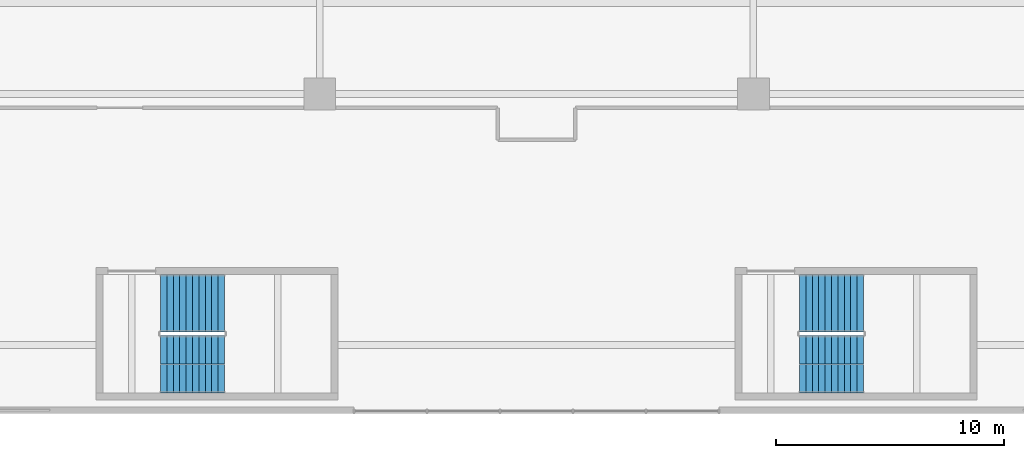
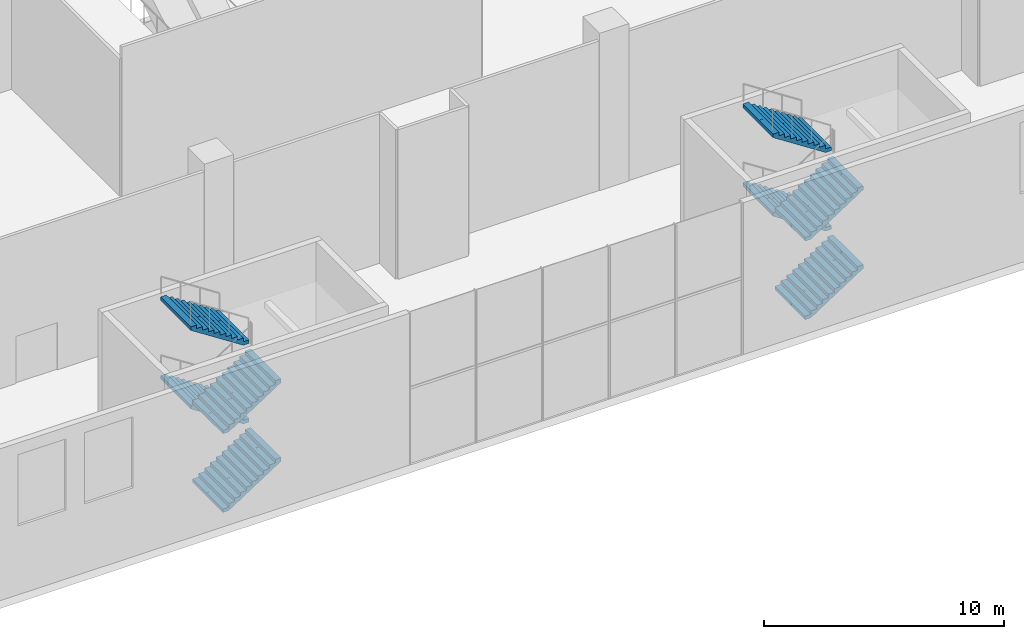
# One storey, part 14 of 27: 8 stair flights, 2 elements without a shape of their own.
"""IFC4 building model written with IfcOpenShell, lengths in metres."""

import ifcopenshell
import ifcopenshell.guid

model = None  # the IFC model being written
_history = None  # IfcOwnerHistory: only IFC2X3 demands one
_inside = {}  # id of a spatial element -> (the spatial element, [elements in it])
_under = {}  # id of a project, library or spatial element -> (it, [spatial elements below it])
_declared = {}  # id of a project -> (the project, [libraries it declares])
_typed = {}  # id of a type object -> (the type object, [elements of that type])
_made_of = {}  # id of a material, layer set ... -> (it, [elements and type objects made of it])


def new_model(schema):
    """Start an empty IFC model of exactly this schema.

    Asked for "IFC4X3", IfcOpenShell would pick the latest addendum, in which some entities
    have other attributes; the version numbers below select the first issue.
    IFC2X3 requires an IfcOwnerHistory on every rooted entity: one is made here for all.
    """
    global model, _history
    if schema == "IFC4X3":
        model = ifcopenshell.file(schema_version=(4, 3, 0, 0))
    else:
        model = ifcopenshell.file(schema=schema)
    _inside.clear()
    _under.clear()
    _declared.clear()
    _typed.clear()
    _made_of.clear()
    _history = None
    if model.schema == "IFC2X3":
        org = make("IfcOrganization", Name="unknown")
        user = make(
            "IfcPersonAndOrganization",
            ThePerson=make("IfcPerson", FamilyName="unknown"),
            TheOrganization=org,
        )
        app = make(
            "IfcApplication",
            ApplicationDeveloper=org,
            Version="unknown",
            ApplicationFullName="unknown",
            ApplicationIdentifier="unknown",
        )
        _history = make(
            "IfcOwnerHistory",
            OwningUser=user,
            OwningApplication=app,
            ChangeAction="ADDED",
            CreationDate=0,
        )
    return model


def make(cls, **values):
    """One entity of the class cls with the attributes given. An attribute that is None is left unset."""
    return model.create_entity(
        cls, **{name: value for name, value in values.items() if value is not None}
    )


def rooted(cls, **values):
    """An entity with a GlobalId (a new one), such as an element, a storey or a relation."""
    return make(cls, GlobalId=ifcopenshell.guid.new(), OwnerHistory=_history, **values)


def si_unit(unit_type, name, prefix=None):
    """IfcSIUnit, for example si_unit("LENGTHUNIT", "METRE", prefix="MILLI")."""
    return make("IfcSIUnit", UnitType=unit_type, Prefix=prefix, Name=name)


def assignment(units):
    """IfcUnitAssignment: the units of a project."""
    return None if units is None else make("IfcUnitAssignment", Units=units)


def point(xyz):
    """IfcCartesianPoint."""
    return None if xyz is None else make("IfcCartesianPoint", Coordinates=xyz)


def direction(xyz):
    """IfcDirection."""
    return None if xyz is None else make("IfcDirection", DirectionRatios=xyz)


def frame(location, z_axis=None, x_axis=None):
    """IfcAxis2Placement3D, a coordinate frame: its origin and axes. An axis left out is left unset."""
    return make(
        "IfcAxis2Placement3D",
        Location=point(location),
        Axis=direction(z_axis),
        RefDirection=direction(x_axis),
    )


def origin():
    """The frame at (0, 0, 0) with its axes left unset."""
    return frame((0.0, 0.0, 0.0))


def place(relative_to, where):
    """IfcLocalPlacement: puts the frame where relative to a parent placement (None: the world)."""
    return make(
        "IfcLocalPlacement", PlacementRelTo=relative_to, RelativePlacement=where
    )


def context(
    kind, dimensions, precision=None, world=None, true_north=None, identifier=None
):
    """IfcGeometricRepresentationContext, for example the 3D "Model" context."""
    return make(
        "IfcGeometricRepresentationContext",
        ContextIdentifier=identifier,
        ContextType=kind,
        CoordinateSpaceDimension=dimensions,
        Precision=precision,
        WorldCoordinateSystem=world,
        TrueNorth=true_north,
    )


def subcontext(parent, identifier, kind, view, scale=None):
    """IfcGeometricRepresentationSubContext, for example "Body" below "Model"."""
    return make(
        "IfcGeometricRepresentationSubContext",
        ContextIdentifier=identifier,
        ContextType=kind,
        ParentContext=parent,
        TargetScale=scale,
        TargetView=view,
    )


def project(units=None, contexts=None):
    """IfcProject with its units and contexts."""
    return rooted(
        "IfcProject",
        Name="project",
        RepresentationContexts=contexts,
        UnitsInContext=assignment(units),
    )


def spatial(cls, under=None, at=None, **own):
    """A site, building, storey or space (cls), placed at a placement, below another one or the project."""
    s = rooted(cls, ObjectPlacement=at, **own)
    if under is not None:
        _under.setdefault(under.id(), (under, []))[1].append(s)
    return s


def polyline(points):
    """IfcPolyline through the points."""
    return make("IfcPolyline", Points=[point(p) for p in points])


def outline(outer, holes=None, kind="AREA"):
    """IfcArbitraryClosedProfileDef: a profile drawn as a closed curve; with holes, ...WithVoids."""
    if holes is None:
        return make("IfcArbitraryClosedProfileDef", ProfileType=kind, OuterCurve=outer)
    return make(
        "IfcArbitraryProfileDefWithVoids",
        ProfileType=kind,
        OuterCurve=outer,
        InnerCurves=holes,
    )


def extrude(swept, where, along, depth):
    """IfcExtrudedAreaSolid: the profile swept, set in the frame where, extruded along a direction by depth."""
    return make(
        "IfcExtrudedAreaSolid",
        SweptArea=swept,
        Position=where,
        ExtrudedDirection=direction(along),
        Depth=depth,
    )


def shape(context_of_items, identifier, shape_type, items):
    """IfcShapeRepresentation: the items that make up one representation, for example the "Body"."""
    return make(
        "IfcShapeRepresentation",
        ContextOfItems=context_of_items,
        RepresentationIdentifier=identifier,
        RepresentationType=shape_type,
        Items=items,
    )


def material(Name=None, Category=None):
    """IfcMaterial."""
    return make("IfcMaterial", Name=Name, Category=Category)


def made_of(thing, what):
    """Note that an element or type object is made of a material, layer set ...; save() writes the relation."""
    if what is not None:
        _made_of.setdefault(what.id(), (what, []))[1].append(thing)
    return thing


def type_object(cls, material=None, **own):
    """A type object (cls), such as IfcWallType, which elements share."""
    return made_of(rooted(cls, **own), material)


def element(
    cls,
    number,
    at=None,
    inside=None,
    cuts=None,
    type_object=None,
    material=None,
    context=None,
    identifier="Body",
    shape_type=None,
    held_by="IfcProductDefinitionShape",
    body=None,
    shapes=None,
    **own,
):
    """One element of the class cls, such as IfcWall. Its Tag is "e" and its number.

    at: its placement. inside: the storey or other place that contains it. cuts: it is an
    opening in that element (IfcRelVoidsElement). A single representation is given by context,
    identifier, shape_type and body (its items); several are given by shapes. held_by: the class
    of the entity that holds the representations. save() writes the other relations.
    """
    e = rooted(cls, Tag="e%d" % number, ObjectPlacement=at, **own)
    if body is not None:
        shapes = [shape(context, identifier, shape_type, body)]
    if shapes is not None:
        e.Representation = make(held_by, Representations=shapes)
    if inside is not None:
        _inside.setdefault(inside.id(), (inside, []))[1].append(e)
    if cuts is not None:
        rooted(
            "IfcRelVoidsElement", RelatingBuildingElement=cuts, RelatedOpeningElement=e
        )
    if type_object is not None:
        _typed.setdefault(type_object.id(), (type_object, []))[1].append(e)
    return made_of(e, material)


def aggregate(whole, parts):
    """IfcRelAggregates: a whole, such as a stair, and the parts it consists of."""
    return rooted("IfcRelAggregates", RelatingObject=whole, RelatedObjects=parts)


def save(model, path):
    """Write the relations noted so far, then the file.

    IfcRelAggregates (storeys below a building ...), IfcRelContainedInSpatialStructure (elements
    in a storey), IfcRelDefinesByType, IfcRelAssociatesMaterial and IfcRelDeclares: one each for
    every whole, place, type object, material and project.
    """
    for whole, parts in _under.values():
        aggregate(whole, parts)
    for where, things in _inside.values():
        rooted(
            "IfcRelContainedInSpatialStructure",
            RelatedElements=things,
            RelatingStructure=where,
        )
    for kind, things in _typed.values():
        rooted("IfcRelDefinesByType", RelatedObjects=things, RelatingType=kind)
    for what, things in _made_of.values():
        rooted("IfcRelAssociatesMaterial", RelatedObjects=things, RelatingMaterial=what)
    for by, libraries in _declared.values():
        rooted("IfcRelDeclares", RelatingContext=by, RelatedDefinitions=libraries)
    model.write(path)


model = new_model("IFC4")

# Units and contexts
model_context = context("Model", 3, precision=1e-05, world=origin(), true_north=direction((0.0, 1.0)))
body_context = subcontext(model_context, "Body", "Model", "MODEL_VIEW")
ifc_project = project(units=[si_unit("LENGTHUNIT", "METRE"), si_unit("AREAUNIT", "SQUARE_METRE"), si_unit("VOLUMEUNIT", "CUBIC_METRE"), si_unit("PLANEANGLEUNIT", "RADIAN"), si_unit("MASSUNIT", "GRAM", prefix="KILO")], contexts=[model_context])

# Site, building, storey
site_placement = place(None, origin())
site = spatial("IfcSite", under=ifc_project, at=site_placement, CompositionType="ELEMENT")
building_placement = place(site_placement, origin())
building = spatial("IfcBuilding", under=site, at=building_placement, Name="Tel Ilan Convention Tower", CompositionType="ELEMENT")
storey_placement = place(building_placement, frame((0.0, 0.0, 18.0)))
storey = spatial("IfcBuildingStorey", under=building, at=storey_placement, Name="L02", CompositionType="ELEMENT", Elevation=18.0)

# Stair, stair flights
ifc_material_1 = material(Name="Concrete C40/50", Category="concrete")
stair_type = type_object("IfcStairType", Name="Pressurised Exit Stair 44 risers 182 mm", PredefinedType="HALF_TURN_STAIR", material=ifc_material_1)
stair_1_placement = place(storey_placement, origin())
stair_1 = element("IfcStair", 1, at=stair_1_placement, inside=storey, type_object=stair_type, Name="L02 Podium Exit Stair P2", PredefinedType="HALF_TURN_STAIR")
ifc_material_2 = material(Name="Precast Concrete C40/50", Category="concrete")
stair_flight_type = type_object("IfcStairFlightType", Name="Concrete Stair Flight 2525 mm 44 risers 182 mm", PredefinedType="STRAIGHT", material=ifc_material_2)
stair_flight_1_placement = place(storey_placement, frame((-16.47509765625, -79.83740234375, 0.0), z_axis=(0.0, 0.0, 1.0), x_axis=(1.0, 0.0, 0.0)))
stair_flight_1 = element("IfcStairFlight", 2, at=stair_flight_1_placement, type_object=stair_flight_type, Name="P2 flight 1", NumberOfRisers=11, NumberOfTreads=10, PredefinedType="STRAIGHT", RiserHeight=0.181818182, TreadLength=0.28, context=body_context, shape_type="SweptSolid", body=[
    extrude(outline(polyline([(0.0, 0.0), (0.0, 0.181884765625), (0.280029296875, 0.181884765625), (0.280029296875, 0.363525390625), (0.56005859375, 0.363525390625), (0.56005859375, 0.54541015625), (0.840087890625, 0.54541015625), (0.840087890625, 0.727294921875), (1.1201171875, 0.727294921875), (1.1201171875, 0.9091796875), (1.39990234375, 0.9091796875), (1.39990234375, 1.0908203125), (1.679931640625, 1.0908203125), (1.679931640625, 1.272705078125), (1.9599609375, 1.272705078125), (1.9599609375, 1.45458984375), (2.239990234375, 1.45458984375), (2.239990234375, 1.636474609375), (2.52001953125, 1.636474609375), (2.52001953125, 1.818115234375), (2.800048828125, 1.818115234375), (2.800048828125, 2.0), (2.800048828125, 1.639404296875), (0.275146484375, 0.0), (0.0, 0.0)])), frame((0.0, -0.100341796875, 0.0), z_axis=(0.0, -1.0, 0.0), x_axis=(1.0, 0.0, 0.0)), (0.0, 0.0, 1.0), 1.162109375),
    extrude(outline(polyline([(0.0, 0.0), (0.0, 0.181884765625), (0.280029296875, 0.181884765625), (0.280029296875, 0.363525390625), (0.56005859375, 0.363525390625), (0.56005859375, 0.54541015625), (0.840087890625, 0.54541015625), (0.840087890625, 0.727294921875), (1.1201171875, 0.727294921875), (1.1201171875, 0.9091796875), (1.39990234375, 0.9091796875), (1.39990234375, 1.0908203125), (1.679931640625, 1.0908203125), (1.679931640625, 1.272705078125), (1.9599609375, 1.272705078125), (1.9599609375, 1.45458984375), (2.239990234375, 1.45458984375), (2.239990234375, 1.636474609375), (2.52001953125, 1.636474609375), (2.52001953125, 1.818115234375), (2.800048828125, 1.818115234375), (2.800048828125, 2.0), (2.800048828125, 1.639404296875), (0.275146484375, 0.0), (0.0, 0.0)])), frame((0.0, -0.000244140625, 0.0), z_axis=(0.0, -1.0, 0.0), x_axis=(1.0, 0.0, 0.0)), (0.0, 0.0, 1.0), 0.099609375),
    extrude(outline(polyline([(0.0, 0.0), (0.0, 0.181884765625), (0.280029296875, 0.181884765625), (0.280029296875, 0.363525390625), (0.56005859375, 0.363525390625), (0.56005859375, 0.54541015625), (0.840087890625, 0.54541015625), (0.840087890625, 0.727294921875), (1.1201171875, 0.727294921875), (1.1201171875, 0.9091796875), (1.39990234375, 0.9091796875), (1.39990234375, 1.0908203125), (1.679931640625, 1.0908203125), (1.679931640625, 1.272705078125), (1.9599609375, 1.272705078125), (1.9599609375, 1.45458984375), (2.239990234375, 1.45458984375), (2.239990234375, 1.636474609375), (2.52001953125, 1.636474609375), (2.52001953125, 1.818115234375), (2.800048828125, 1.818115234375), (2.800048828125, 2.0), (2.800048828125, 1.639404296875), (0.275146484375, 0.0), (0.0, 0.0)])), frame((0.0, 0.099853515625, 0.0), z_axis=(0.0, -1.0, 0.0), x_axis=(1.0, 0.0, 0.0)), (0.0, 0.0, 1.0), 0.099609375),
    extrude(outline(polyline([(0.0, 0.0), (0.0, 0.181884765625), (0.280029296875, 0.181884765625), (0.280029296875, 0.363525390625), (0.56005859375, 0.363525390625), (0.56005859375, 0.54541015625), (0.840087890625, 0.54541015625), (0.840087890625, 0.727294921875), (1.1201171875, 0.727294921875), (1.1201171875, 0.9091796875), (1.39990234375, 0.9091796875), (1.39990234375, 1.0908203125), (1.679931640625, 1.0908203125), (1.679931640625, 1.272705078125), (1.9599609375, 1.272705078125), (1.9599609375, 1.45458984375), (2.239990234375, 1.45458984375), (2.239990234375, 1.636474609375), (2.52001953125, 1.636474609375), (2.52001953125, 1.818115234375), (2.800048828125, 1.818115234375), (2.800048828125, 2.0), (2.800048828125, 1.639404296875), (0.275146484375, 0.0), (0.0, 0.0)])), frame((0.0, 1.262451171875, 0.0), z_axis=(0.0, -1.0, 0.0), x_axis=(1.0, 0.0, 0.0)), (0.0, 0.0, 1.0), 1.162109375),
])
stair_flight_2_placement = place(storey_placement, frame((-13.675048828125, -77.16259765625, 2.0), z_axis=(0.0, 0.0, 1.0), x_axis=(-1.0, 0.0, 0.0)))
stair_flight_2 = element("IfcStairFlight", 3, at=stair_flight_2_placement, type_object=stair_flight_type, Name="P2 flight 2", NumberOfRisers=11, NumberOfTreads=10, PredefinedType="STRAIGHT", RiserHeight=0.181818182, TreadLength=0.28, context=body_context, shape_type="SweptSolid", body=[
    extrude(outline(polyline([(0.0, 0.0), (0.0, 0.181884765625), (0.280029296875, 0.181884765625), (0.280029296875, 0.363525390625), (0.56005859375, 0.363525390625), (0.56005859375, 0.54541015625), (0.840087890625, 0.54541015625), (0.840087890625, 0.727294921875), (1.1201171875, 0.727294921875), (1.1201171875, 0.9091796875), (1.39990234375, 0.9091796875), (1.39990234375, 1.0908203125), (1.679931640625, 1.0908203125), (1.679931640625, 1.272705078125), (1.9599609375, 1.272705078125), (1.9599609375, 1.45458984375), (2.239990234375, 1.45458984375), (2.239990234375, 1.636474609375), (2.52001953125, 1.636474609375), (2.52001953125, 1.818115234375), (2.800048828125, 1.818115234375), (2.800048828125, 2.0), (2.800048828125, 1.639404296875), (0.275146484375, 0.0), (0.0, 0.0)])), frame((0.0, -0.100341796875, 0.0), z_axis=(0.0, -1.0, 0.0), x_axis=(1.0, 0.0, 0.0)), (0.0, 0.0, 1.0), 1.162109375),
    extrude(outline(polyline([(0.0, 0.0), (0.0, 0.181884765625), (0.280029296875, 0.181884765625), (0.280029296875, 0.363525390625), (0.56005859375, 0.363525390625), (0.56005859375, 0.54541015625), (0.840087890625, 0.54541015625), (0.840087890625, 0.727294921875), (1.1201171875, 0.727294921875), (1.1201171875, 0.9091796875), (1.39990234375, 0.9091796875), (1.39990234375, 1.0908203125), (1.679931640625, 1.0908203125), (1.679931640625, 1.272705078125), (1.9599609375, 1.272705078125), (1.9599609375, 1.45458984375), (2.239990234375, 1.45458984375), (2.239990234375, 1.636474609375), (2.52001953125, 1.636474609375), (2.52001953125, 1.818115234375), (2.800048828125, 1.818115234375), (2.800048828125, 2.0), (2.800048828125, 1.639404296875), (0.275146484375, 0.0), (0.0, 0.0)])), frame((0.0, -0.000244140625, 0.0), z_axis=(0.0, -1.0, 0.0), x_axis=(1.0, 0.0, 0.0)), (0.0, 0.0, 1.0), 0.099609375),
    extrude(outline(polyline([(0.0, 0.0), (0.0, 0.181884765625), (0.280029296875, 0.181884765625), (0.280029296875, 0.363525390625), (0.56005859375, 0.363525390625), (0.56005859375, 0.54541015625), (0.840087890625, 0.54541015625), (0.840087890625, 0.727294921875), (1.1201171875, 0.727294921875), (1.1201171875, 0.9091796875), (1.39990234375, 0.9091796875), (1.39990234375, 1.0908203125), (1.679931640625, 1.0908203125), (1.679931640625, 1.272705078125), (1.9599609375, 1.272705078125), (1.9599609375, 1.45458984375), (2.239990234375, 1.45458984375), (2.239990234375, 1.636474609375), (2.52001953125, 1.636474609375), (2.52001953125, 1.818115234375), (2.800048828125, 1.818115234375), (2.800048828125, 2.0), (2.800048828125, 1.639404296875), (0.275146484375, 0.0), (0.0, 0.0)])), frame((0.0, 0.099853515625, 0.0), z_axis=(0.0, -1.0, 0.0), x_axis=(1.0, 0.0, 0.0)), (0.0, 0.0, 1.0), 0.099609375),
    extrude(outline(polyline([(0.0, 0.0), (0.0, 0.181884765625), (0.280029296875, 0.181884765625), (0.280029296875, 0.363525390625), (0.56005859375, 0.363525390625), (0.56005859375, 0.54541015625), (0.840087890625, 0.54541015625), (0.840087890625, 0.727294921875), (1.1201171875, 0.727294921875), (1.1201171875, 0.9091796875), (1.39990234375, 0.9091796875), (1.39990234375, 1.0908203125), (1.679931640625, 1.0908203125), (1.679931640625, 1.272705078125), (1.9599609375, 1.272705078125), (1.9599609375, 1.45458984375), (2.239990234375, 1.45458984375), (2.239990234375, 1.636474609375), (2.52001953125, 1.636474609375), (2.52001953125, 1.818115234375), (2.800048828125, 1.818115234375), (2.800048828125, 2.0), (2.800048828125, 1.639404296875), (0.275146484375, 0.0), (0.0, 0.0)])), frame((0.0, 1.262451171875, 0.0), z_axis=(0.0, -1.0, 0.0), x_axis=(1.0, 0.0, 0.0)), (0.0, 0.0, 1.0), 1.162109375),
])
stair_flight_3_placement = place(storey_placement, frame((-16.47509765625, -79.83740234375, 4.0), z_axis=(0.0, 0.0, 1.0), x_axis=(1.0, 0.0, 0.0)))
stair_flight_3 = element("IfcStairFlight", 4, at=stair_flight_3_placement, type_object=stair_flight_type, Name="P2 flight 3", NumberOfRisers=11, NumberOfTreads=10, PredefinedType="STRAIGHT", RiserHeight=0.181818182, TreadLength=0.28, context=body_context, shape_type="SweptSolid", body=[
    extrude(outline(polyline([(0.0, 0.0), (0.0, 0.181884765625), (0.280029296875, 0.181884765625), (0.280029296875, 0.363525390625), (0.56005859375, 0.363525390625), (0.56005859375, 0.54541015625), (0.840087890625, 0.54541015625), (0.840087890625, 0.727294921875), (1.1201171875, 0.727294921875), (1.1201171875, 0.9091796875), (1.39990234375, 0.9091796875), (1.39990234375, 1.0908203125), (1.679931640625, 1.0908203125), (1.679931640625, 1.272705078125), (1.9599609375, 1.272705078125), (1.9599609375, 1.45458984375), (2.239990234375, 1.45458984375), (2.239990234375, 1.636474609375), (2.52001953125, 1.636474609375), (2.52001953125, 1.818115234375), (2.800048828125, 1.818115234375), (2.800048828125, 2.0), (2.800048828125, 1.639404296875), (0.275146484375, 0.0), (0.0, 0.0)])), frame((0.0, -0.100341796875, 0.0), z_axis=(0.0, -1.0, 0.0), x_axis=(1.0, 0.0, 0.0)), (0.0, 0.0, 1.0), 1.162109375),
    extrude(outline(polyline([(0.0, 0.0), (0.0, 0.181884765625), (0.280029296875, 0.181884765625), (0.280029296875, 0.363525390625), (0.56005859375, 0.363525390625), (0.56005859375, 0.54541015625), (0.840087890625, 0.54541015625), (0.840087890625, 0.727294921875), (1.1201171875, 0.727294921875), (1.1201171875, 0.9091796875), (1.39990234375, 0.9091796875), (1.39990234375, 1.0908203125), (1.679931640625, 1.0908203125), (1.679931640625, 1.272705078125), (1.9599609375, 1.272705078125), (1.9599609375, 1.45458984375), (2.239990234375, 1.45458984375), (2.239990234375, 1.636474609375), (2.52001953125, 1.636474609375), (2.52001953125, 1.818115234375), (2.800048828125, 1.818115234375), (2.800048828125, 2.0), (2.800048828125, 1.639404296875), (0.275146484375, 0.0), (0.0, 0.0)])), frame((0.0, -0.000244140625, 0.0), z_axis=(0.0, -1.0, 0.0), x_axis=(1.0, 0.0, 0.0)), (0.0, 0.0, 1.0), 0.099609375),
    extrude(outline(polyline([(0.0, 0.0), (0.0, 0.181884765625), (0.280029296875, 0.181884765625), (0.280029296875, 0.363525390625), (0.56005859375, 0.363525390625), (0.56005859375, 0.54541015625), (0.840087890625, 0.54541015625), (0.840087890625, 0.727294921875), (1.1201171875, 0.727294921875), (1.1201171875, 0.9091796875), (1.39990234375, 0.9091796875), (1.39990234375, 1.0908203125), (1.679931640625, 1.0908203125), (1.679931640625, 1.272705078125), (1.9599609375, 1.272705078125), (1.9599609375, 1.45458984375), (2.239990234375, 1.45458984375), (2.239990234375, 1.636474609375), (2.52001953125, 1.636474609375), (2.52001953125, 1.818115234375), (2.800048828125, 1.818115234375), (2.800048828125, 2.0), (2.800048828125, 1.639404296875), (0.275146484375, 0.0), (0.0, 0.0)])), frame((0.0, 0.099853515625, 0.0), z_axis=(0.0, -1.0, 0.0), x_axis=(1.0, 0.0, 0.0)), (0.0, 0.0, 1.0), 0.099609375),
    extrude(outline(polyline([(0.0, 0.0), (0.0, 0.181884765625), (0.280029296875, 0.181884765625), (0.280029296875, 0.363525390625), (0.56005859375, 0.363525390625), (0.56005859375, 0.54541015625), (0.840087890625, 0.54541015625), (0.840087890625, 0.727294921875), (1.1201171875, 0.727294921875), (1.1201171875, 0.9091796875), (1.39990234375, 0.9091796875), (1.39990234375, 1.0908203125), (1.679931640625, 1.0908203125), (1.679931640625, 1.272705078125), (1.9599609375, 1.272705078125), (1.9599609375, 1.45458984375), (2.239990234375, 1.45458984375), (2.239990234375, 1.636474609375), (2.52001953125, 1.636474609375), (2.52001953125, 1.818115234375), (2.800048828125, 1.818115234375), (2.800048828125, 2.0), (2.800048828125, 1.639404296875), (0.275146484375, 0.0), (0.0, 0.0)])), frame((0.0, 1.262451171875, 0.0), z_axis=(0.0, -1.0, 0.0), x_axis=(1.0, 0.0, 0.0)), (0.0, 0.0, 1.0), 1.162109375),
])
stair_flight_4_placement = place(storey_placement, frame((-13.675048828125, -77.16259765625, 6.0), z_axis=(0.0, 0.0, 1.0), x_axis=(-1.0, 0.0, 0.0)))
stair_flight_4 = element("IfcStairFlight", 5, at=stair_flight_4_placement, type_object=stair_flight_type, Name="P2 flight 4", NumberOfRisers=11, NumberOfTreads=10, PredefinedType="STRAIGHT", RiserHeight=0.181818182, TreadLength=0.28, context=body_context, shape_type="SweptSolid", body=[
    extrude(outline(polyline([(0.0, 0.0), (0.0, 0.181884765625), (0.280029296875, 0.181884765625), (0.280029296875, 0.363525390625), (0.56005859375, 0.363525390625), (0.56005859375, 0.54541015625), (0.840087890625, 0.54541015625), (0.840087890625, 0.727294921875), (1.1201171875, 0.727294921875), (1.1201171875, 0.9091796875), (1.39990234375, 0.9091796875), (1.39990234375, 1.0908203125), (1.679931640625, 1.0908203125), (1.679931640625, 1.272705078125), (1.9599609375, 1.272705078125), (1.9599609375, 1.45458984375), (2.239990234375, 1.45458984375), (2.239990234375, 1.636474609375), (2.52001953125, 1.636474609375), (2.52001953125, 1.818115234375), (2.800048828125, 1.818115234375), (2.800048828125, 2.0), (2.800048828125, 1.639404296875), (0.275146484375, 0.0), (0.0, 0.0)])), frame((0.0, -0.100341796875, 0.0), z_axis=(0.0, -1.0, 0.0), x_axis=(1.0, 0.0, 0.0)), (0.0, 0.0, 1.0), 1.162109375),
    extrude(outline(polyline([(0.0, 0.0), (0.0, 0.181884765625), (0.280029296875, 0.181884765625), (0.280029296875, 0.363525390625), (0.56005859375, 0.363525390625), (0.56005859375, 0.54541015625), (0.840087890625, 0.54541015625), (0.840087890625, 0.727294921875), (1.1201171875, 0.727294921875), (1.1201171875, 0.9091796875), (1.39990234375, 0.9091796875), (1.39990234375, 1.0908203125), (1.679931640625, 1.0908203125), (1.679931640625, 1.272705078125), (1.9599609375, 1.272705078125), (1.9599609375, 1.45458984375), (2.239990234375, 1.45458984375), (2.239990234375, 1.636474609375), (2.52001953125, 1.636474609375), (2.52001953125, 1.818115234375), (2.800048828125, 1.818115234375), (2.800048828125, 2.0), (2.800048828125, 1.639404296875), (0.275146484375, 0.0), (0.0, 0.0)])), frame((0.0, -0.000244140625, 0.0), z_axis=(0.0, -1.0, 0.0), x_axis=(1.0, 0.0, 0.0)), (0.0, 0.0, 1.0), 0.099609375),
    extrude(outline(polyline([(0.0, 0.0), (0.0, 0.181884765625), (0.280029296875, 0.181884765625), (0.280029296875, 0.363525390625), (0.56005859375, 0.363525390625), (0.56005859375, 0.54541015625), (0.840087890625, 0.54541015625), (0.840087890625, 0.727294921875), (1.1201171875, 0.727294921875), (1.1201171875, 0.9091796875), (1.39990234375, 0.9091796875), (1.39990234375, 1.0908203125), (1.679931640625, 1.0908203125), (1.679931640625, 1.272705078125), (1.9599609375, 1.272705078125), (1.9599609375, 1.45458984375), (2.239990234375, 1.45458984375), (2.239990234375, 1.636474609375), (2.52001953125, 1.636474609375), (2.52001953125, 1.818115234375), (2.800048828125, 1.818115234375), (2.800048828125, 2.0), (2.800048828125, 1.639404296875), (0.275146484375, 0.0), (0.0, 0.0)])), frame((0.0, 0.099853515625, 0.0), z_axis=(0.0, -1.0, 0.0), x_axis=(1.0, 0.0, 0.0)), (0.0, 0.0, 1.0), 0.099609375),
    extrude(outline(polyline([(0.0, 0.0), (0.0, 0.181884765625), (0.280029296875, 0.181884765625), (0.280029296875, 0.363525390625), (0.56005859375, 0.363525390625), (0.56005859375, 0.54541015625), (0.840087890625, 0.54541015625), (0.840087890625, 0.727294921875), (1.1201171875, 0.727294921875), (1.1201171875, 0.9091796875), (1.39990234375, 0.9091796875), (1.39990234375, 1.0908203125), (1.679931640625, 1.0908203125), (1.679931640625, 1.272705078125), (1.9599609375, 1.272705078125), (1.9599609375, 1.45458984375), (2.239990234375, 1.45458984375), (2.239990234375, 1.636474609375), (2.52001953125, 1.636474609375), (2.52001953125, 1.818115234375), (2.800048828125, 1.818115234375), (2.800048828125, 2.0), (2.800048828125, 1.639404296875), (0.275146484375, 0.0), (0.0, 0.0)])), frame((0.0, 1.262451171875, 0.0), z_axis=(0.0, -1.0, 0.0), x_axis=(1.0, 0.0, 0.0)), (0.0, 0.0, 1.0), 1.162109375),
])
aggregate(stair_1, [stair_flight_1, stair_flight_2, stair_flight_3, stair_flight_4])

stair_2_placement = place(storey_placement, origin())
stair_2 = element("IfcStair", 6, at=stair_2_placement, inside=storey, type_object=stair_type, Name="L02 Podium Exit Stair P3", PredefinedType="HALF_TURN_STAIR")
stair_flight_5_placement = place(storey_placement, frame((11.52490234375, -79.83740234375, 0.0), z_axis=(0.0, 0.0, 1.0), x_axis=(1.0, 0.0, 0.0)))
stair_flight_5 = element("IfcStairFlight", 7, at=stair_flight_5_placement, type_object=stair_flight_type, Name="P3 flight 1", NumberOfRisers=11, NumberOfTreads=10, PredefinedType="STRAIGHT", RiserHeight=0.181818182, TreadLength=0.28, context=body_context, shape_type="SweptSolid", body=[
    extrude(outline(polyline([(0.0, 0.0), (0.0, 0.181884765625), (0.280029296875, 0.181884765625), (0.280029296875, 0.363525390625), (0.56005859375, 0.363525390625), (0.56005859375, 0.54541015625), (0.840087890625, 0.54541015625), (0.840087890625, 0.727294921875), (1.1201171875, 0.727294921875), (1.1201171875, 0.9091796875), (1.39990234375, 0.9091796875), (1.39990234375, 1.0908203125), (1.679931640625, 1.0908203125), (1.679931640625, 1.272705078125), (1.9599609375, 1.272705078125), (1.9599609375, 1.45458984375), (2.239990234375, 1.45458984375), (2.239990234375, 1.636474609375), (2.52001953125, 1.636474609375), (2.52001953125, 1.818115234375), (2.800048828125, 1.818115234375), (2.800048828125, 2.0), (2.800048828125, 1.639404296875), (0.275146484375, 0.0), (0.0, 0.0)])), frame((0.0, -0.100341796875, 0.0), z_axis=(0.0, -1.0, 0.0), x_axis=(1.0, 0.0, 0.0)), (0.0, 0.0, 1.0), 1.162109375),
    extrude(outline(polyline([(0.0, 0.0), (0.0, 0.181884765625), (0.280029296875, 0.181884765625), (0.280029296875, 0.363525390625), (0.56005859375, 0.363525390625), (0.56005859375, 0.54541015625), (0.840087890625, 0.54541015625), (0.840087890625, 0.727294921875), (1.1201171875, 0.727294921875), (1.1201171875, 0.9091796875), (1.39990234375, 0.9091796875), (1.39990234375, 1.0908203125), (1.679931640625, 1.0908203125), (1.679931640625, 1.272705078125), (1.9599609375, 1.272705078125), (1.9599609375, 1.45458984375), (2.239990234375, 1.45458984375), (2.239990234375, 1.636474609375), (2.52001953125, 1.636474609375), (2.52001953125, 1.818115234375), (2.800048828125, 1.818115234375), (2.800048828125, 2.0), (2.800048828125, 1.639404296875), (0.275146484375, 0.0), (0.0, 0.0)])), frame((0.0, -0.000244140625, 0.0), z_axis=(0.0, -1.0, 0.0), x_axis=(1.0, 0.0, 0.0)), (0.0, 0.0, 1.0), 0.099609375),
    extrude(outline(polyline([(0.0, 0.0), (0.0, 0.181884765625), (0.280029296875, 0.181884765625), (0.280029296875, 0.363525390625), (0.56005859375, 0.363525390625), (0.56005859375, 0.54541015625), (0.840087890625, 0.54541015625), (0.840087890625, 0.727294921875), (1.1201171875, 0.727294921875), (1.1201171875, 0.9091796875), (1.39990234375, 0.9091796875), (1.39990234375, 1.0908203125), (1.679931640625, 1.0908203125), (1.679931640625, 1.272705078125), (1.9599609375, 1.272705078125), (1.9599609375, 1.45458984375), (2.239990234375, 1.45458984375), (2.239990234375, 1.636474609375), (2.52001953125, 1.636474609375), (2.52001953125, 1.818115234375), (2.800048828125, 1.818115234375), (2.800048828125, 2.0), (2.800048828125, 1.639404296875), (0.275146484375, 0.0), (0.0, 0.0)])), frame((0.0, 0.099853515625, 0.0), z_axis=(0.0, -1.0, 0.0), x_axis=(1.0, 0.0, 0.0)), (0.0, 0.0, 1.0), 0.099609375),
    extrude(outline(polyline([(0.0, 0.0), (0.0, 0.181884765625), (0.280029296875, 0.181884765625), (0.280029296875, 0.363525390625), (0.56005859375, 0.363525390625), (0.56005859375, 0.54541015625), (0.840087890625, 0.54541015625), (0.840087890625, 0.727294921875), (1.1201171875, 0.727294921875), (1.1201171875, 0.9091796875), (1.39990234375, 0.9091796875), (1.39990234375, 1.0908203125), (1.679931640625, 1.0908203125), (1.679931640625, 1.272705078125), (1.9599609375, 1.272705078125), (1.9599609375, 1.45458984375), (2.239990234375, 1.45458984375), (2.239990234375, 1.636474609375), (2.52001953125, 1.636474609375), (2.52001953125, 1.818115234375), (2.800048828125, 1.818115234375), (2.800048828125, 2.0), (2.800048828125, 1.639404296875), (0.275146484375, 0.0), (0.0, 0.0)])), frame((0.0, 1.262451171875, 0.0), z_axis=(0.0, -1.0, 0.0), x_axis=(1.0, 0.0, 0.0)), (0.0, 0.0, 1.0), 1.162109375),
])
stair_flight_6_placement = place(storey_placement, frame((14.324951171875, -77.16259765625, 2.0), z_axis=(0.0, 0.0, 1.0), x_axis=(-1.0, 0.0, 0.0)))
stair_flight_6 = element("IfcStairFlight", 8, at=stair_flight_6_placement, type_object=stair_flight_type, Name="P3 flight 2", NumberOfRisers=11, NumberOfTreads=10, PredefinedType="STRAIGHT", RiserHeight=0.181818182, TreadLength=0.28, context=body_context, shape_type="SweptSolid", body=[
    extrude(outline(polyline([(0.0, 0.0), (0.0, 0.181884765625), (0.280029296875, 0.181884765625), (0.280029296875, 0.363525390625), (0.56005859375, 0.363525390625), (0.56005859375, 0.54541015625), (0.840087890625, 0.54541015625), (0.840087890625, 0.727294921875), (1.1201171875, 0.727294921875), (1.1201171875, 0.9091796875), (1.39990234375, 0.9091796875), (1.39990234375, 1.0908203125), (1.679931640625, 1.0908203125), (1.679931640625, 1.272705078125), (1.9599609375, 1.272705078125), (1.9599609375, 1.45458984375), (2.239990234375, 1.45458984375), (2.239990234375, 1.636474609375), (2.52001953125, 1.636474609375), (2.52001953125, 1.818115234375), (2.800048828125, 1.818115234375), (2.800048828125, 2.0), (2.800048828125, 1.639404296875), (0.275146484375, 0.0), (0.0, 0.0)])), frame((0.0, -0.100341796875, 0.0), z_axis=(0.0, -1.0, 0.0), x_axis=(1.0, 0.0, 0.0)), (0.0, 0.0, 1.0), 1.162109375),
    extrude(outline(polyline([(0.0, 0.0), (0.0, 0.181884765625), (0.280029296875, 0.181884765625), (0.280029296875, 0.363525390625), (0.56005859375, 0.363525390625), (0.56005859375, 0.54541015625), (0.840087890625, 0.54541015625), (0.840087890625, 0.727294921875), (1.1201171875, 0.727294921875), (1.1201171875, 0.9091796875), (1.39990234375, 0.9091796875), (1.39990234375, 1.0908203125), (1.679931640625, 1.0908203125), (1.679931640625, 1.272705078125), (1.9599609375, 1.272705078125), (1.9599609375, 1.45458984375), (2.239990234375, 1.45458984375), (2.239990234375, 1.636474609375), (2.52001953125, 1.636474609375), (2.52001953125, 1.818115234375), (2.800048828125, 1.818115234375), (2.800048828125, 2.0), (2.800048828125, 1.639404296875), (0.275146484375, 0.0), (0.0, 0.0)])), frame((0.0, -0.000244140625, 0.0), z_axis=(0.0, -1.0, 0.0), x_axis=(1.0, 0.0, 0.0)), (0.0, 0.0, 1.0), 0.099609375),
    extrude(outline(polyline([(0.0, 0.0), (0.0, 0.181884765625), (0.280029296875, 0.181884765625), (0.280029296875, 0.363525390625), (0.56005859375, 0.363525390625), (0.56005859375, 0.54541015625), (0.840087890625, 0.54541015625), (0.840087890625, 0.727294921875), (1.1201171875, 0.727294921875), (1.1201171875, 0.9091796875), (1.39990234375, 0.9091796875), (1.39990234375, 1.0908203125), (1.679931640625, 1.0908203125), (1.679931640625, 1.272705078125), (1.9599609375, 1.272705078125), (1.9599609375, 1.45458984375), (2.239990234375, 1.45458984375), (2.239990234375, 1.636474609375), (2.52001953125, 1.636474609375), (2.52001953125, 1.818115234375), (2.800048828125, 1.818115234375), (2.800048828125, 2.0), (2.800048828125, 1.639404296875), (0.275146484375, 0.0), (0.0, 0.0)])), frame((0.0, 0.099853515625, 0.0), z_axis=(0.0, -1.0, 0.0), x_axis=(1.0, 0.0, 0.0)), (0.0, 0.0, 1.0), 0.099609375),
    extrude(outline(polyline([(0.0, 0.0), (0.0, 0.181884765625), (0.280029296875, 0.181884765625), (0.280029296875, 0.363525390625), (0.56005859375, 0.363525390625), (0.56005859375, 0.54541015625), (0.840087890625, 0.54541015625), (0.840087890625, 0.727294921875), (1.1201171875, 0.727294921875), (1.1201171875, 0.9091796875), (1.39990234375, 0.9091796875), (1.39990234375, 1.0908203125), (1.679931640625, 1.0908203125), (1.679931640625, 1.272705078125), (1.9599609375, 1.272705078125), (1.9599609375, 1.45458984375), (2.239990234375, 1.45458984375), (2.239990234375, 1.636474609375), (2.52001953125, 1.636474609375), (2.52001953125, 1.818115234375), (2.800048828125, 1.818115234375), (2.800048828125, 2.0), (2.800048828125, 1.639404296875), (0.275146484375, 0.0), (0.0, 0.0)])), frame((0.0, 1.262451171875, 0.0), z_axis=(0.0, -1.0, 0.0), x_axis=(1.0, 0.0, 0.0)), (0.0, 0.0, 1.0), 1.162109375),
])
stair_flight_7_placement = place(storey_placement, frame((11.52490234375, -79.83740234375, 4.0), z_axis=(0.0, 0.0, 1.0), x_axis=(1.0, 0.0, 0.0)))
stair_flight_7 = element("IfcStairFlight", 9, at=stair_flight_7_placement, type_object=stair_flight_type, Name="P3 flight 3", NumberOfRisers=11, NumberOfTreads=10, PredefinedType="STRAIGHT", RiserHeight=0.181818182, TreadLength=0.28, context=body_context, shape_type="SweptSolid", body=[
    extrude(outline(polyline([(0.0, 0.0), (0.0, 0.181884765625), (0.280029296875, 0.181884765625), (0.280029296875, 0.363525390625), (0.56005859375, 0.363525390625), (0.56005859375, 0.54541015625), (0.840087890625, 0.54541015625), (0.840087890625, 0.727294921875), (1.1201171875, 0.727294921875), (1.1201171875, 0.9091796875), (1.39990234375, 0.9091796875), (1.39990234375, 1.0908203125), (1.679931640625, 1.0908203125), (1.679931640625, 1.272705078125), (1.9599609375, 1.272705078125), (1.9599609375, 1.45458984375), (2.239990234375, 1.45458984375), (2.239990234375, 1.636474609375), (2.52001953125, 1.636474609375), (2.52001953125, 1.818115234375), (2.800048828125, 1.818115234375), (2.800048828125, 2.0), (2.800048828125, 1.639404296875), (0.275146484375, 0.0), (0.0, 0.0)])), frame((0.0, -0.100341796875, 0.0), z_axis=(0.0, -1.0, 0.0), x_axis=(1.0, 0.0, 0.0)), (0.0, 0.0, 1.0), 1.162109375),
    extrude(outline(polyline([(0.0, 0.0), (0.0, 0.181884765625), (0.280029296875, 0.181884765625), (0.280029296875, 0.363525390625), (0.56005859375, 0.363525390625), (0.56005859375, 0.54541015625), (0.840087890625, 0.54541015625), (0.840087890625, 0.727294921875), (1.1201171875, 0.727294921875), (1.1201171875, 0.9091796875), (1.39990234375, 0.9091796875), (1.39990234375, 1.0908203125), (1.679931640625, 1.0908203125), (1.679931640625, 1.272705078125), (1.9599609375, 1.272705078125), (1.9599609375, 1.45458984375), (2.239990234375, 1.45458984375), (2.239990234375, 1.636474609375), (2.52001953125, 1.636474609375), (2.52001953125, 1.818115234375), (2.800048828125, 1.818115234375), (2.800048828125, 2.0), (2.800048828125, 1.639404296875), (0.275146484375, 0.0), (0.0, 0.0)])), frame((0.0, -0.000244140625, 0.0), z_axis=(0.0, -1.0, 0.0), x_axis=(1.0, 0.0, 0.0)), (0.0, 0.0, 1.0), 0.099609375),
    extrude(outline(polyline([(0.0, 0.0), (0.0, 0.181884765625), (0.280029296875, 0.181884765625), (0.280029296875, 0.363525390625), (0.56005859375, 0.363525390625), (0.56005859375, 0.54541015625), (0.840087890625, 0.54541015625), (0.840087890625, 0.727294921875), (1.1201171875, 0.727294921875), (1.1201171875, 0.9091796875), (1.39990234375, 0.9091796875), (1.39990234375, 1.0908203125), (1.679931640625, 1.0908203125), (1.679931640625, 1.272705078125), (1.9599609375, 1.272705078125), (1.9599609375, 1.45458984375), (2.239990234375, 1.45458984375), (2.239990234375, 1.636474609375), (2.52001953125, 1.636474609375), (2.52001953125, 1.818115234375), (2.800048828125, 1.818115234375), (2.800048828125, 2.0), (2.800048828125, 1.639404296875), (0.275146484375, 0.0), (0.0, 0.0)])), frame((0.0, 0.099853515625, 0.0), z_axis=(0.0, -1.0, 0.0), x_axis=(1.0, 0.0, 0.0)), (0.0, 0.0, 1.0), 0.099609375),
    extrude(outline(polyline([(0.0, 0.0), (0.0, 0.181884765625), (0.280029296875, 0.181884765625), (0.280029296875, 0.363525390625), (0.56005859375, 0.363525390625), (0.56005859375, 0.54541015625), (0.840087890625, 0.54541015625), (0.840087890625, 0.727294921875), (1.1201171875, 0.727294921875), (1.1201171875, 0.9091796875), (1.39990234375, 0.9091796875), (1.39990234375, 1.0908203125), (1.679931640625, 1.0908203125), (1.679931640625, 1.272705078125), (1.9599609375, 1.272705078125), (1.9599609375, 1.45458984375), (2.239990234375, 1.45458984375), (2.239990234375, 1.636474609375), (2.52001953125, 1.636474609375), (2.52001953125, 1.818115234375), (2.800048828125, 1.818115234375), (2.800048828125, 2.0), (2.800048828125, 1.639404296875), (0.275146484375, 0.0), (0.0, 0.0)])), frame((0.0, 1.262451171875, 0.0), z_axis=(0.0, -1.0, 0.0), x_axis=(1.0, 0.0, 0.0)), (0.0, 0.0, 1.0), 1.162109375),
])
stair_flight_8_placement = place(storey_placement, frame((14.324951171875, -77.16259765625, 6.0), z_axis=(0.0, 0.0, 1.0), x_axis=(-1.0, 0.0, 0.0)))
stair_flight_8 = element("IfcStairFlight", 10, at=stair_flight_8_placement, type_object=stair_flight_type, Name="P3 flight 4", NumberOfRisers=11, NumberOfTreads=10, PredefinedType="STRAIGHT", RiserHeight=0.181818182, TreadLength=0.28, context=body_context, shape_type="SweptSolid", body=[
    extrude(outline(polyline([(0.0, 0.0), (0.0, 0.181884765625), (0.280029296875, 0.181884765625), (0.280029296875, 0.363525390625), (0.56005859375, 0.363525390625), (0.56005859375, 0.54541015625), (0.840087890625, 0.54541015625), (0.840087890625, 0.727294921875), (1.1201171875, 0.727294921875), (1.1201171875, 0.9091796875), (1.39990234375, 0.9091796875), (1.39990234375, 1.0908203125), (1.679931640625, 1.0908203125), (1.679931640625, 1.272705078125), (1.9599609375, 1.272705078125), (1.9599609375, 1.45458984375), (2.239990234375, 1.45458984375), (2.239990234375, 1.636474609375), (2.52001953125, 1.636474609375), (2.52001953125, 1.818115234375), (2.800048828125, 1.818115234375), (2.800048828125, 2.0), (2.800048828125, 1.639404296875), (0.275146484375, 0.0), (0.0, 0.0)])), frame((0.0, -0.100341796875, 0.0), z_axis=(0.0, -1.0, 0.0), x_axis=(1.0, 0.0, 0.0)), (0.0, 0.0, 1.0), 1.162109375),
    extrude(outline(polyline([(0.0, 0.0), (0.0, 0.181884765625), (0.280029296875, 0.181884765625), (0.280029296875, 0.363525390625), (0.56005859375, 0.363525390625), (0.56005859375, 0.54541015625), (0.840087890625, 0.54541015625), (0.840087890625, 0.727294921875), (1.1201171875, 0.727294921875), (1.1201171875, 0.9091796875), (1.39990234375, 0.9091796875), (1.39990234375, 1.0908203125), (1.679931640625, 1.0908203125), (1.679931640625, 1.272705078125), (1.9599609375, 1.272705078125), (1.9599609375, 1.45458984375), (2.239990234375, 1.45458984375), (2.239990234375, 1.636474609375), (2.52001953125, 1.636474609375), (2.52001953125, 1.818115234375), (2.800048828125, 1.818115234375), (2.800048828125, 2.0), (2.800048828125, 1.639404296875), (0.275146484375, 0.0), (0.0, 0.0)])), frame((0.0, -0.000244140625, 0.0), z_axis=(0.0, -1.0, 0.0), x_axis=(1.0, 0.0, 0.0)), (0.0, 0.0, 1.0), 0.099609375),
    extrude(outline(polyline([(0.0, 0.0), (0.0, 0.181884765625), (0.280029296875, 0.181884765625), (0.280029296875, 0.363525390625), (0.56005859375, 0.363525390625), (0.56005859375, 0.54541015625), (0.840087890625, 0.54541015625), (0.840087890625, 0.727294921875), (1.1201171875, 0.727294921875), (1.1201171875, 0.9091796875), (1.39990234375, 0.9091796875), (1.39990234375, 1.0908203125), (1.679931640625, 1.0908203125), (1.679931640625, 1.272705078125), (1.9599609375, 1.272705078125), (1.9599609375, 1.45458984375), (2.239990234375, 1.45458984375), (2.239990234375, 1.636474609375), (2.52001953125, 1.636474609375), (2.52001953125, 1.818115234375), (2.800048828125, 1.818115234375), (2.800048828125, 2.0), (2.800048828125, 1.639404296875), (0.275146484375, 0.0), (0.0, 0.0)])), frame((0.0, 0.099853515625, 0.0), z_axis=(0.0, -1.0, 0.0), x_axis=(1.0, 0.0, 0.0)), (0.0, 0.0, 1.0), 0.099609375),
    extrude(outline(polyline([(0.0, 0.0), (0.0, 0.181884765625), (0.280029296875, 0.181884765625), (0.280029296875, 0.363525390625), (0.56005859375, 0.363525390625), (0.56005859375, 0.54541015625), (0.840087890625, 0.54541015625), (0.840087890625, 0.727294921875), (1.1201171875, 0.727294921875), (1.1201171875, 0.9091796875), (1.39990234375, 0.9091796875), (1.39990234375, 1.0908203125), (1.679931640625, 1.0908203125), (1.679931640625, 1.272705078125), (1.9599609375, 1.272705078125), (1.9599609375, 1.45458984375), (2.239990234375, 1.45458984375), (2.239990234375, 1.636474609375), (2.52001953125, 1.636474609375), (2.52001953125, 1.818115234375), (2.800048828125, 1.818115234375), (2.800048828125, 2.0), (2.800048828125, 1.639404296875), (0.275146484375, 0.0), (0.0, 0.0)])), frame((0.0, 1.262451171875, 0.0), z_axis=(0.0, -1.0, 0.0), x_axis=(1.0, 0.0, 0.0)), (0.0, 0.0, 1.0), 1.162109375),
])
aggregate(stair_2, [stair_flight_5, stair_flight_6, stair_flight_7, stair_flight_8])

save(model, "model.ifc")
